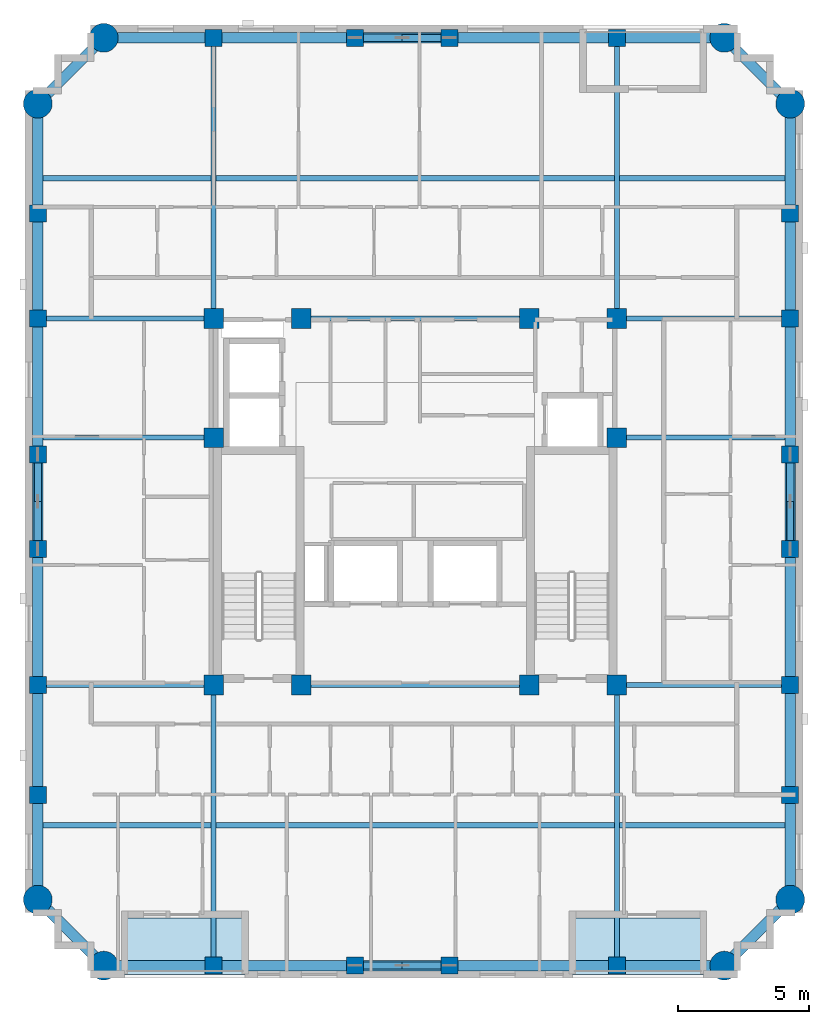
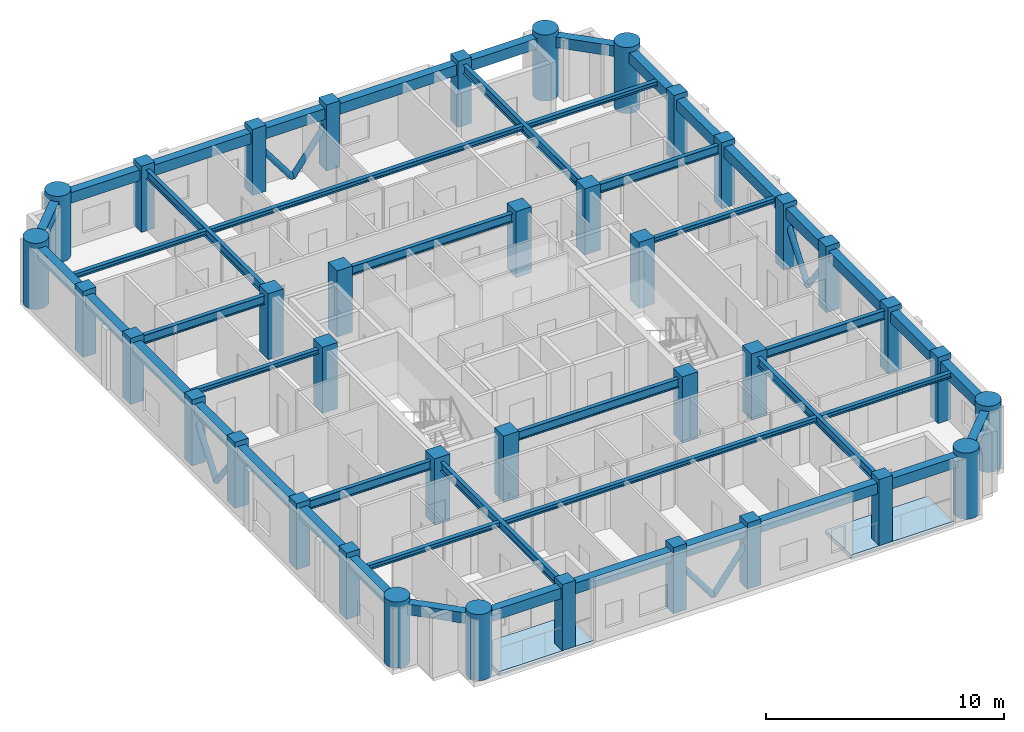
# One storey, part 1 of 11: 46 beams, 38 columns, 8 members, 2 slabs.
"""IFC4 building model written with IfcOpenShell, lengths in metres."""

from ifc_helpers import new_model, si_unit, derived_unit, direction, frame, origin, origin_2d, place, context, subcontext, project, spatial, polyline, rectangle, circle, hollow_circle, i_section, outline, extrude, material, layer, layer_set, material_profile, profile_set, type_object, element, save


model = new_model("IFC4")

# Units and contexts
model_context = context("Model", 3, precision=1e-05, world=origin(), true_north=direction((0.0, 1.0)))
body_context = subcontext(model_context, "Body", "Model", "MODEL_VIEW")
ifc_project = project(units=[si_unit("LENGTHUNIT", "METRE"), si_unit("AREAUNIT", "SQUARE_METRE"), si_unit("VOLUMEUNIT", "CUBIC_METRE"), si_unit("PLANEANGLEUNIT", "RADIAN"), si_unit("MASSUNIT", "GRAM", prefix="KILO"), derived_unit("THERMALTRANSMITTANCEUNIT", [(si_unit("MASSUNIT", "GRAM", prefix="KILO"), 1), (si_unit("TIMEUNIT", "SECOND"), -3), (si_unit("THERMODYNAMICTEMPERATUREUNIT", "KELVIN"), -1)])], contexts=[model_context])

# Site, building, storey
site_placement = place(None, origin())
site = spatial("IfcSite", under=ifc_project, at=site_placement, CompositionType="ELEMENT")
building_placement = place(site_placement, origin())
building = spatial("IfcBuilding", under=site, at=building_placement, Name="Korrvale Station Residences", CompositionType="ELEMENT")
storey_placement = place(building_placement, frame((0.0, 0.0, 230.89990234375)))
storey = spatial("IfcBuildingStorey", under=building, at=storey_placement, Name="L67", CompositionType="ELEMENT", Elevation=230.89990234375)

# Columns
ifc_material_1 = material(Name="Concrete C50/60", Category="concrete")
ifc_material_profile_1 = material_profile(ifc_material_1, rectangle(XDim=0.64990234375, YDim=0.64990234375, at=origin_2d()), Name="RC650x650")
ifc_profile_set_1 = profile_set([ifc_material_profile_1], Name="Concrete C50/60")
column_type_1 = type_object("IfcColumnType", Name="COL-C-RC650x650-C5060", PredefinedType="COLUMN", material=ifc_profile_set_1)
for number, where, z_axis, x_axis, name in (
    (1, (17.800048828125, 4.280029296875, 0.0), (0.0, 0.0, 1.0), (1.0, 0.0, 0.0), "L67 Bundled-Tube South Column 02"),
    (2, (23.199951171875, 4.280029296875, 0.0), (0.0, 0.0, 1.0), (1.0, 0.0, 0.0), "L67 Bundled-Tube South Column 03"),
    (3, (26.800048828125, 4.280029296875, 0.0), (0.0, 0.0, 1.0), (1.0, 0.0, 0.0), "L67 Bundled-Tube South Column 04"),
    (4, (33.199951171875, 4.280029296875, 0.0), (0.0, 0.0, 1.0), (1.0, 0.0, 0.0), "L67 Bundled-Tube South Column 05"),
    (5, (17.800048828125, 39.719970703125, 0.0), (0.0, 0.0, 1.0), (1.0, 0.0, 0.0), "L67 Bundled-Tube North Column 08"),
    (6, (23.199951171875, 39.719970703125, 0.0), (0.0, 0.0, 1.0), (1.0, 0.0, 0.0), "L67 Bundled-Tube North Column 09"),
    (7, (26.800048828125, 39.719970703125, 0.0), (0.0, 0.0, 1.0), (1.0, 0.0, 0.0), "L67 Bundled-Tube North Column 10"),
    (8, (33.199951171875, 39.719970703125, 0.0), (0.0, 0.0, 1.0), (1.0, 0.0, 0.0), "L67 Bundled-Tube North Column 11"),
    (9, (11.080078125, 10.800048828125, 0.0), (0.0, 0.0, 1.0), (1.0, 0.0, 0.0), "L67 Bundled-Tube West Column 14"),
    (10, (11.080078125, 15.0, 0.0), (0.0, 0.0, 1.0), (1.0, 0.0, 0.0), "L67 Bundled-Tube West Column 15"),
    (11, (11.080078125, 20.199951171875, 0.0), (0.0, 0.0, 1.0), (1.0, 0.0, 0.0), "L67 Bundled-Tube West Column 16"),
    (12, (11.080078125, 23.800048828125, 0.0), (0.0, 0.0, 1.0), (1.0, 0.0, 0.0), "L67 Bundled-Tube West Column 17"),
    (13, (11.080078125, 29.0, 0.0), (0.0, 0.0, 1.0), (1.0, 0.0, 0.0), "L67 Bundled-Tube West Column 18"),
    (14, (11.080078125, 33.0, 0.0), (0.0, 0.0, 1.0), (1.0, 0.0, 0.0), "L67 Bundled-Tube West Column 19"),
    (15, (39.820068359375, 10.800048828125, 0.0), (0.0, 0.0, 1.0), (1.0, 0.0, 0.0), "L67 Bundled-Tube East Column 22"),
    (16, (39.820068359375, 15.0, 0.0), (0.0, 0.0, 1.0), (1.0, 0.0, 0.0), "L67 Bundled-Tube East Column 23"),
    (17, (39.820068359375, 20.199951171875, 0.0), (0.0, 0.0, 1.0), (1.0, 0.0, 0.0), "L67 Bundled-Tube East Column 24"),
    (18, (39.820068359375, 23.800048828125, 0.0), (0.0, 0.0, 1.0), (1.0, 0.0, 0.0), "L67 Bundled-Tube East Column 25"),
    (19, (39.820068359375, 29.0, 0.0), (0.0, 0.0, 1.0), (1.0, 0.0, 0.0), "L67 Bundled-Tube East Column 26"),
    (20, (39.820068359375, 33.0, 0.0), (0.0, 0.0, 1.0), (1.0, 0.0, 0.0), "L67 Bundled-Tube East Column 27"),
):
    element("IfcColumn", number, at=place(storey_placement, frame(where, z_axis=z_axis, x_axis=x_axis)), inside=storey, type_object=column_type_1, Name=name, PredefinedType="COLUMN", context=body_context, shape_type="SweptSolid", body=[
        extrude(rectangle(XDim=0.64990234375, YDim=0.64990234375, at=origin_2d()), origin(), (0.0, 0.0, 1.0), 3.400146484375),
    ])
ifc_material_profile_2 = material_profile(ifc_material_1, rectangle(XDim=0.75, YDim=0.75, at=origin_2d()), Name="RC750x750")
ifc_profile_set_2 = profile_set([ifc_material_profile_2], Name="Concrete C50/60")
column_type_2 = type_object("IfcColumnType", Name="COL-C-RC750x750-C5060", PredefinedType="COLUMN", material=ifc_profile_set_2)
for number, where, z_axis, x_axis, name in (
    (21, (17.800048828125, 15.0, 0.0), (0.0, 0.0, 1.0), (1.0, 0.0, 0.0), "L67 Core Column 01"),
    (22, (21.14990234375, 15.0, 0.0), (0.0, 0.0, 1.0), (1.0, 0.0, 0.0), "L67 Core Column 02"),
    (23, (29.85009765625, 15.0, 0.0), (0.0, 0.0, 1.0), (1.0, 0.0, 0.0), "L67 Core Column 03"),
    (24, (33.199951171875, 15.0, 0.0), (0.0, 0.0, 1.0), (1.0, 0.0, 0.0), "L67 Core Column 04"),
    (25, (17.800048828125, 29.0, 0.0), (0.0, 0.0, 1.0), (1.0, 0.0, 0.0), "L67 Core Column 05"),
    (26, (21.14990234375, 29.0, 0.0), (0.0, 0.0, 1.0), (1.0, 0.0, 0.0), "L67 Core Column 06"),
    (27, (29.85009765625, 29.0, 0.0), (0.0, 0.0, 1.0), (1.0, 0.0, 0.0), "L67 Core Column 07"),
    (28, (33.199951171875, 29.0, 0.0), (0.0, 0.0, 1.0), (1.0, 0.0, 0.0), "L67 Core Column 08"),
    (29, (17.800048828125, 24.449951171875, 0.0), (0.0, 0.0, 1.0), (1.0, 0.0, 0.0), "L67 Core Column 09"),
    (30, (33.199951171875, 24.449951171875, 0.0), (0.0, 0.0, 1.0), (1.0, 0.0, 0.0), "L67 Core Column 10"),
):
    element("IfcColumn", number, at=place(storey_placement, frame(where, z_axis=z_axis, x_axis=x_axis)), inside=storey, type_object=column_type_2, Name=name, PredefinedType="COLUMN", context=body_context, shape_type="SweptSolid", body=[
        extrude(rectangle(XDim=0.75, YDim=0.75, at=origin_2d()), origin(), (0.0, 0.0, 1.0), 3.400146484375),
    ])
ifc_material_profile_3 = material_profile(ifc_material_1, circle(Radius=0.550048828125, at=origin_2d()), Name="RCC1100")
ifc_profile_set_3 = profile_set([ifc_material_profile_3], Name="Concrete C50/60")
column_type_3 = type_object("IfcColumnType", Name="COL-C-RCC1100-C5060", PredefinedType="COLUMN", material=ifc_profile_set_3)
for number, where, z_axis, x_axis, name in (
    (31, (13.60009765625, 4.280029296875, 0.0), (0.0, 0.0, 1.0), (1.0, 0.0, 0.0), "L67 Bundled-Tube South Column 01"),
    (32, (37.300048828125, 4.280029296875, 0.0), (0.0, 0.0, 1.0), (1.0, 0.0, 0.0), "L67 Bundled-Tube South Column 06"),
    (33, (13.60009765625, 39.719970703125, 0.0), (0.0, 0.0, 1.0), (1.0, 0.0, 0.0), "L67 Bundled-Tube North Column 07"),
    (34, (37.300048828125, 39.719970703125, 0.0), (0.0, 0.0, 1.0), (1.0, 0.0, 0.0), "L67 Bundled-Tube North Column 12"),
    (35, (11.080078125, 6.800048828125, 0.0), (0.0, 0.0, 1.0), (1.0, 0.0, 0.0), "L67 Bundled-Tube West Column 13"),
    (36, (11.080078125, 37.199951171875, 0.0), (0.0, 0.0, 1.0), (1.0, 0.0, 0.0), "L67 Bundled-Tube West Column 20"),
    (37, (39.820068359375, 6.800048828125, 0.0), (0.0, 0.0, 1.0), (1.0, 0.0, 0.0), "L67 Bundled-Tube East Column 21"),
    (38, (39.820068359375, 37.199951171875, 0.0), (0.0, 0.0, 1.0), (1.0, 0.0, 0.0), "L67 Bundled-Tube East Column 28"),
):
    element("IfcColumn", number, at=place(storey_placement, frame(where, z_axis=z_axis, x_axis=x_axis)), inside=storey, type_object=column_type_3, Name=name, PredefinedType="COLUMN", context=body_context, shape_type="SweptSolid", body=[
        extrude(circle(Radius=0.550048828125, at=origin_2d()), origin(), (0.0, 0.0, 1.0), 3.400146484375),
    ])

# Beams
ifc_material_2 = material(Name="Steel S355", Category="steel")
ifc_material_profile_4 = material_profile(ifc_material_2, i_section(OverallWidth=0.18994140625, OverallDepth=0.45703125, WebThickness=0.009033203125, FlangeThickness=0.014404296875, FilletRadius=0.01611328125, at=origin_2d()), Name="W460x74")
ifc_profile_set_4 = profile_set([ifc_material_profile_4], Name="Steel S355")
beam_type_1 = type_object("IfcBeamType", Name="BM-BM-W460x74-S355", PredefinedType="BEAM", material=ifc_profile_set_4)
for number, where, z_axis, x_axis, name in (
    (39, (17.800048828125, 4.280029296875, 2.91162109375), (0.0, 1.0, 0.0), (-1.0, 0.0, 0.0), "L67 Bundled-Tube Web Girder 01"),
    (40, (33.199951171875, 4.280029296875, 2.91162109375), (0.0, 1.0, 0.0), (-1.0, 0.0, 0.0), "L67 Bundled-Tube Web Girder 02"),
    (41, (17.800048828125, 29.0, 2.91162109375), (0.0, 1.0, 0.0), (-1.0, 0.0, 0.0), "L67 Bundled-Tube Web Girder 03"),
    (42, (33.199951171875, 29.0, 2.91162109375), (0.0, 1.0, 0.0), (-1.0, 0.0, 0.0), "L67 Bundled-Tube Web Girder 04"),
):
    element("IfcBeam", number, at=place(storey_placement, frame(where, z_axis=z_axis, x_axis=x_axis)), inside=storey, type_object=beam_type_1, Name=name, PredefinedType="BEAM", context=body_context, shape_type="SweptSolid", body=[
        extrude(i_section(OverallWidth=0.18994140625, OverallDepth=0.45703125, WebThickness=0.009033203125, FlangeThickness=0.014404296875, FilletRadius=0.01611328125, at=origin_2d()), origin(), (0.0, 0.0, 1.0), 10.719970703125),
    ])
beam_1_placement = place(storey_placement, frame((11.080078125, 15.0, 2.91162109375), z_axis=(1.0, 0.0, 0.0), x_axis=(0.0, 1.0, 0.0)))
element("IfcBeam", 43, at=beam_1_placement, inside=storey, type_object=beam_type_1, Name="L67 Bundled-Tube Web Girder 05", PredefinedType="BEAM", context=body_context, shape_type="SweptSolid", body=[
    extrude(i_section(OverallWidth=0.18994140625, OverallDepth=0.45703125, WebThickness=0.009033203125, FlangeThickness=0.014404296875, FilletRadius=0.01611328125, at=origin_2d()), origin(), (0.0, 0.0, 1.0), 6.719970703125),
])
beam_2_placement = place(storey_placement, frame((33.199951171875, 15.0, 2.91162109375), z_axis=(1.0, 0.0, 0.0), x_axis=(0.0, 1.0, 0.0)))
element("IfcBeam", 44, at=beam_2_placement, inside=storey, type_object=beam_type_1, Name="L67 Bundled-Tube Web Girder 06", PredefinedType="BEAM", context=body_context, shape_type="SweptSolid", body=[
    extrude(i_section(OverallWidth=0.18994140625, OverallDepth=0.45703125, WebThickness=0.009033203125, FlangeThickness=0.014404296875, FilletRadius=0.01611328125, at=origin_2d()), origin(), (0.0, 0.0, 1.0), 6.6201171875),
])
beam_3_placement = place(storey_placement, frame((11.080078125, 29.0, 2.91162109375), z_axis=(1.0, 0.0, 0.0), x_axis=(0.0, 1.0, 0.0)))
element("IfcBeam", 45, at=beam_3_placement, inside=storey, type_object=beam_type_1, Name="L67 Bundled-Tube Web Girder 07", PredefinedType="BEAM", context=body_context, shape_type="SweptSolid", body=[
    extrude(i_section(OverallWidth=0.18994140625, OverallDepth=0.45703125, WebThickness=0.009033203125, FlangeThickness=0.014404296875, FilletRadius=0.01611328125, at=origin_2d()), origin(), (0.0, 0.0, 1.0), 6.719970703125),
])
beam_4_placement = place(storey_placement, frame((33.199951171875, 29.0, 2.91162109375), z_axis=(1.0, 0.0, 0.0), x_axis=(0.0, 1.0, 0.0)))
element("IfcBeam", 46, at=beam_4_placement, inside=storey, type_object=beam_type_1, Name="L67 Bundled-Tube Web Girder 08", PredefinedType="BEAM", context=body_context, shape_type="SweptSolid", body=[
    extrude(i_section(OverallWidth=0.18994140625, OverallDepth=0.45703125, WebThickness=0.009033203125, FlangeThickness=0.014404296875, FilletRadius=0.01611328125, at=origin_2d()), origin(), (0.0, 0.0, 1.0), 6.6201171875),
])
for number, where, z_axis, x_axis, name in (
    (47, (21.14990234375, 15.0, 2.91162109375), (1.0, 0.0, 0.0), (0.0, 1.0, 0.0), "L67 Bundled-Tube Web Girder 09"),
    (48, (21.14990234375, 29.0, 2.91162109375), (1.0, 0.0, 0.0), (0.0, 1.0, 0.0), "L67 Bundled-Tube Web Girder 10"),
):
    element("IfcBeam", number, at=place(storey_placement, frame(where, z_axis=z_axis, x_axis=x_axis)), inside=storey, type_object=beam_type_1, Name=name, PredefinedType="BEAM", context=body_context, shape_type="SweptSolid", body=[
        extrude(i_section(OverallWidth=0.18994140625, OverallDepth=0.45703125, WebThickness=0.009033203125, FlangeThickness=0.014404296875, FilletRadius=0.01611328125, at=origin_2d()), origin(), (0.0, 0.0, 1.0), 8.7001953125),
    ])
ifc_material_profile_5 = material_profile(ifc_material_2, i_section(OverallWidth=0.201904296875, OverallDepth=0.2470703125, WebThickness=0.00732421875, FlangeThickness=0.010986328125, FilletRadius=0.012939453125, at=origin_2d()), Name="W250x49")
ifc_profile_set_5 = profile_set([ifc_material_profile_5], Name="Steel S355")
beam_type_2 = type_object("IfcBeamType", Name="BM-JST-W250x49-S355", PredefinedType="JOIST", material=ifc_profile_set_5)
beam_5_placement = place(storey_placement, frame((11.280029296875, 9.639892578125, 3.0166015625), z_axis=(1.0, 0.0, 0.0), x_axis=(0.0, 1.0, 0.0)))
element("IfcBeam", 49, at=beam_5_placement, inside=storey, type_object=beam_type_2, Name="L67 Floor Framing Joist 01", PredefinedType="JOIST", context=body_context, shape_type="SweptSolid", body=[
    extrude(i_section(OverallWidth=0.201904296875, OverallDepth=0.2470703125, WebThickness=0.00732421875, FlangeThickness=0.010986328125, FilletRadius=0.012939453125, at=origin_2d()), origin(), (0.0, 0.0, 1.0), 6.425048828125),
])
beam_6_placement = place(storey_placement, frame((17.89501953125, 9.639892578125, 3.0166015625), z_axis=(1.0, 0.0, 0.0), x_axis=(0.0, 1.0, 0.0)))
element("IfcBeam", 50, at=beam_6_placement, inside=storey, type_object=beam_type_2, Name="L67 Floor Framing Joist 02", PredefinedType="JOIST", context=body_context, shape_type="SweptSolid", body=[
    extrude(i_section(OverallWidth=0.201904296875, OverallDepth=0.2470703125, WebThickness=0.00732421875, FlangeThickness=0.010986328125, FilletRadius=0.012939453125, at=origin_2d()), origin(), (0.0, 0.0, 1.0), 15.2099609375),
])
beam_7_placement = place(storey_placement, frame((33.294921875, 9.639892578125, 3.0166015625), z_axis=(1.0, 0.0, 0.0), x_axis=(0.0, 1.0, 0.0)))
element("IfcBeam", 51, at=beam_7_placement, inside=storey, type_object=beam_type_2, Name="L67 Floor Framing Joist 03", PredefinedType="JOIST", context=body_context, shape_type="SweptSolid", body=[
    extrude(i_section(OverallWidth=0.201904296875, OverallDepth=0.2470703125, WebThickness=0.00732421875, FlangeThickness=0.010986328125, FilletRadius=0.012939453125, at=origin_2d()), origin(), (0.0, 0.0, 1.0), 6.3251953125),
])
beam_8_placement = place(storey_placement, frame((11.280029296875, 34.360107421875, 3.0166015625), z_axis=(1.0, 0.0, 0.0), x_axis=(0.0, 1.0, 0.0)))
element("IfcBeam", 52, at=beam_8_placement, inside=storey, type_object=beam_type_2, Name="L67 Floor Framing Joist 04", PredefinedType="JOIST", context=body_context, shape_type="SweptSolid", body=[
    extrude(i_section(OverallWidth=0.201904296875, OverallDepth=0.2470703125, WebThickness=0.00732421875, FlangeThickness=0.010986328125, FilletRadius=0.012939453125, at=origin_2d()), origin(), (0.0, 0.0, 1.0), 6.425048828125),
])
beam_9_placement = place(storey_placement, frame((17.89501953125, 34.360107421875, 3.0166015625), z_axis=(1.0, 0.0, 0.0), x_axis=(0.0, 1.0, 0.0)))
element("IfcBeam", 53, at=beam_9_placement, inside=storey, type_object=beam_type_2, Name="L67 Floor Framing Joist 05", PredefinedType="JOIST", context=body_context, shape_type="SweptSolid", body=[
    extrude(i_section(OverallWidth=0.201904296875, OverallDepth=0.2470703125, WebThickness=0.00732421875, FlangeThickness=0.010986328125, FilletRadius=0.012939453125, at=origin_2d()), origin(), (0.0, 0.0, 1.0), 15.2099609375),
])
beam_10_placement = place(storey_placement, frame((33.294921875, 34.360107421875, 3.0166015625), z_axis=(1.0, 0.0, 0.0), x_axis=(0.0, 1.0, 0.0)))
element("IfcBeam", 54, at=beam_10_placement, inside=storey, type_object=beam_type_2, Name="L67 Floor Framing Joist 06", PredefinedType="JOIST", context=body_context, shape_type="SweptSolid", body=[
    extrude(i_section(OverallWidth=0.201904296875, OverallDepth=0.2470703125, WebThickness=0.00732421875, FlangeThickness=0.010986328125, FilletRadius=0.012939453125, at=origin_2d()), origin(), (0.0, 0.0, 1.0), 6.3251953125),
])
beam_11_placement = place(storey_placement, frame((33.199951171875, 24.449951171875, 3.0166015625), z_axis=(1.0, 0.0, 0.0), x_axis=(0.0, 1.0, 0.0)))
element("IfcBeam", 55, at=beam_11_placement, inside=storey, type_object=beam_type_2, Name="L67 Floor Framing Joist 07", PredefinedType="JOIST", context=body_context, shape_type="SweptSolid", body=[
    extrude(i_section(OverallWidth=0.201904296875, OverallDepth=0.2470703125, WebThickness=0.00732421875, FlangeThickness=0.010986328125, FilletRadius=0.012939453125, at=origin_2d()), origin(), (0.0, 0.0, 1.0), 6.420166015625),
])
beam_12_placement = place(storey_placement, frame((11.280029296875, 24.449951171875, 3.0166015625), z_axis=(1.0, 0.0, 0.0), x_axis=(0.0, 1.0, 0.0)))
element("IfcBeam", 56, at=beam_12_placement, inside=storey, type_object=beam_type_2, Name="L67 Floor Framing Joist 08", PredefinedType="JOIST", context=body_context, shape_type="SweptSolid", body=[
    extrude(i_section(OverallWidth=0.201904296875, OverallDepth=0.2470703125, WebThickness=0.00732421875, FlangeThickness=0.010986328125, FilletRadius=0.012939453125, at=origin_2d()), origin(), (0.0, 0.0, 1.0), 6.52001953125),
])
ifc_material_profile_6 = material_profile(ifc_material_1, rectangle(XDim=0.39990234375, YDim=0.550048828125, at=origin_2d()), Name="RCB400x550")
ifc_profile_set_6 = profile_set([ifc_material_profile_6], Name="Concrete C50/60")
beam_type_3 = type_object("IfcBeamType", Name="BM-SPB-RCB400x550-C5060", PredefinedType="SPANDREL", material=ifc_profile_set_6)
beam_13_placement = place(storey_placement, frame((13.60009765625, 4.280029296875, 2.864990234375), z_axis=(1.0, 0.0, 0.0), x_axis=(0.0, 1.0, 0.0)))
element("IfcBeam", 57, at=beam_13_placement, inside=storey, type_object=beam_type_3, Name="L67 South Tube Spandrel 01", PredefinedType="SPANDREL", context=body_context, shape_type="SweptSolid", body=[
    extrude(rectangle(XDim=0.39990234375, YDim=0.550048828125, at=origin_2d()), origin(), (0.0, 0.0, 1.0), 4.199951171875),
])
beam_14_placement = place(storey_placement, frame((17.800048828125, 4.280029296875, 2.864990234375), z_axis=(1.0, 0.0, 0.0), x_axis=(0.0, 1.0, 0.0)))
element("IfcBeam", 58, at=beam_14_placement, inside=storey, type_object=beam_type_3, Name="L67 South Tube Spandrel 02", PredefinedType="SPANDREL", context=body_context, shape_type="SweptSolid", body=[
    extrude(rectangle(XDim=0.39990234375, YDim=0.550048828125, at=origin_2d()), origin(), (0.0, 0.0, 1.0), 5.39990234375),
])
beam_15_placement = place(storey_placement, frame((23.199951171875, 4.280029296875, 2.864990234375), z_axis=(1.0, 0.0, 0.0), x_axis=(0.0, 1.0, 0.0)))
element("IfcBeam", 59, at=beam_15_placement, inside=storey, type_object=beam_type_3, Name="L67 South Tube Spandrel 03", PredefinedType="SPANDREL", context=body_context, shape_type="SweptSolid", body=[
    extrude(rectangle(XDim=0.39990234375, YDim=0.550048828125, at=origin_2d()), origin(), (0.0, 0.0, 1.0), 3.60009765625),
])
beam_16_placement = place(storey_placement, frame((26.800048828125, 4.280029296875, 2.864990234375), z_axis=(1.0, 0.0, 0.0), x_axis=(0.0, 1.0, 0.0)))
element("IfcBeam", 60, at=beam_16_placement, inside=storey, type_object=beam_type_3, Name="L67 South Tube Spandrel 04", PredefinedType="SPANDREL", context=body_context, shape_type="SweptSolid", body=[
    extrude(rectangle(XDim=0.39990234375, YDim=0.550048828125, at=origin_2d()), origin(), (0.0, 0.0, 1.0), 6.39990234375),
])
beam_17_placement = place(storey_placement, frame((33.199951171875, 4.280029296875, 2.864990234375), z_axis=(1.0, 0.0, 0.0), x_axis=(0.0, 1.0, 0.0)))
element("IfcBeam", 61, at=beam_17_placement, inside=storey, type_object=beam_type_3, Name="L67 South Tube Spandrel 05", PredefinedType="SPANDREL", context=body_context, shape_type="SweptSolid", body=[
    extrude(rectangle(XDim=0.39990234375, YDim=0.550048828125, at=origin_2d()), origin(), (0.0, 0.0, 1.0), 4.10009765625),
])
beam_18_placement = place(storey_placement, frame((13.60009765625, 39.719970703125, 2.864990234375), z_axis=(1.0, 0.0, 0.0), x_axis=(0.0, 1.0, 0.0)))
element("IfcBeam", 62, at=beam_18_placement, inside=storey, type_object=beam_type_3, Name="L67 North Tube Spandrel 06", PredefinedType="SPANDREL", context=body_context, shape_type="SweptSolid", body=[
    extrude(rectangle(XDim=0.39990234375, YDim=0.550048828125, at=origin_2d()), origin(), (0.0, 0.0, 1.0), 4.199951171875),
])
beam_19_placement = place(storey_placement, frame((17.800048828125, 39.719970703125, 2.864990234375), z_axis=(1.0, 0.0, 0.0), x_axis=(0.0, 1.0, 0.0)))
element("IfcBeam", 63, at=beam_19_placement, inside=storey, type_object=beam_type_3, Name="L67 North Tube Spandrel 07", PredefinedType="SPANDREL", context=body_context, shape_type="SweptSolid", body=[
    extrude(rectangle(XDim=0.39990234375, YDim=0.550048828125, at=origin_2d()), origin(), (0.0, 0.0, 1.0), 5.39990234375),
])
beam_20_placement = place(storey_placement, frame((23.199951171875, 39.719970703125, 2.864990234375), z_axis=(1.0, 0.0, 0.0), x_axis=(0.0, 1.0, 0.0)))
element("IfcBeam", 64, at=beam_20_placement, inside=storey, type_object=beam_type_3, Name="L67 North Tube Spandrel 08", PredefinedType="SPANDREL", context=body_context, shape_type="SweptSolid", body=[
    extrude(rectangle(XDim=0.39990234375, YDim=0.550048828125, at=origin_2d()), origin(), (0.0, 0.0, 1.0), 3.60009765625),
])
beam_21_placement = place(storey_placement, frame((26.800048828125, 39.719970703125, 2.864990234375), z_axis=(1.0, 0.0, 0.0), x_axis=(0.0, 1.0, 0.0)))
element("IfcBeam", 65, at=beam_21_placement, inside=storey, type_object=beam_type_3, Name="L67 North Tube Spandrel 09", PredefinedType="SPANDREL", context=body_context, shape_type="SweptSolid", body=[
    extrude(rectangle(XDim=0.39990234375, YDim=0.550048828125, at=origin_2d()), origin(), (0.0, 0.0, 1.0), 6.39990234375),
])
beam_22_placement = place(storey_placement, frame((33.199951171875, 39.719970703125, 2.864990234375), z_axis=(1.0, 0.0, 0.0), x_axis=(0.0, 1.0, 0.0)))
element("IfcBeam", 66, at=beam_22_placement, inside=storey, type_object=beam_type_3, Name="L67 North Tube Spandrel 10", PredefinedType="SPANDREL", context=body_context, shape_type="SweptSolid", body=[
    extrude(rectangle(XDim=0.39990234375, YDim=0.550048828125, at=origin_2d()), origin(), (0.0, 0.0, 1.0), 4.10009765625),
])
beam_23_placement = place(storey_placement, frame((11.080078125, 6.800048828125, 2.864990234375), z_axis=(0.0, 1.0, 0.0), x_axis=(-1.0, 0.0, 0.0)))
element("IfcBeam", 67, at=beam_23_placement, inside=storey, type_object=beam_type_3, Name="L67 West Tube Spandrel 11", PredefinedType="SPANDREL", context=body_context, shape_type="SweptSolid", body=[
    extrude(rectangle(XDim=0.39990234375, YDim=0.550048828125, at=origin_2d()), origin(), (0.0, 0.0, 1.0), 4.0),
])
beam_24_placement = place(storey_placement, frame((11.080078125, 10.800048828125, 2.864990234375), z_axis=(0.0, 1.0, 0.0), x_axis=(-1.0, 0.0, 0.0)))
element("IfcBeam", 68, at=beam_24_placement, inside=storey, type_object=beam_type_3, Name="L67 West Tube Spandrel 12", PredefinedType="SPANDREL", context=body_context, shape_type="SweptSolid", body=[
    extrude(rectangle(XDim=0.39990234375, YDim=0.550048828125, at=origin_2d()), origin(), (0.0, 0.0, 1.0), 4.199951171875),
])
beam_25_placement = place(storey_placement, frame((11.080078125, 15.0, 2.864990234375), z_axis=(0.0, 1.0, 0.0), x_axis=(-1.0, 0.0, 0.0)))
element("IfcBeam", 69, at=beam_25_placement, inside=storey, type_object=beam_type_3, Name="L67 West Tube Spandrel 13", PredefinedType="SPANDREL", context=body_context, shape_type="SweptSolid", body=[
    extrude(rectangle(XDim=0.39990234375, YDim=0.550048828125, at=origin_2d()), origin(), (0.0, 0.0, 1.0), 5.199951171875),
])
beam_26_placement = place(storey_placement, frame((11.080078125, 20.199951171875, 2.864990234375), z_axis=(0.0, 1.0, 0.0), x_axis=(-1.0, 0.0, 0.0)))
element("IfcBeam", 70, at=beam_26_placement, inside=storey, type_object=beam_type_3, Name="L67 West Tube Spandrel 14", PredefinedType="SPANDREL", context=body_context, shape_type="SweptSolid", body=[
    extrude(rectangle(XDim=0.39990234375, YDim=0.550048828125, at=origin_2d()), origin(), (0.0, 0.0, 1.0), 3.60009765625),
])
beam_27_placement = place(storey_placement, frame((11.080078125, 23.800048828125, 2.864990234375), z_axis=(0.0, 1.0, 0.0), x_axis=(-1.0, 0.0, 0.0)))
element("IfcBeam", 71, at=beam_27_placement, inside=storey, type_object=beam_type_3, Name="L67 West Tube Spandrel 15", PredefinedType="SPANDREL", context=body_context, shape_type="SweptSolid", body=[
    extrude(rectangle(XDim=0.39990234375, YDim=0.550048828125, at=origin_2d()), origin(), (0.0, 0.0, 1.0), 5.199951171875),
])
beam_28_placement = place(storey_placement, frame((11.080078125, 29.0, 2.864990234375), z_axis=(0.0, 1.0, 0.0), x_axis=(-1.0, 0.0, 0.0)))
element("IfcBeam", 72, at=beam_28_placement, inside=storey, type_object=beam_type_3, Name="L67 West Tube Spandrel 16", PredefinedType="SPANDREL", context=body_context, shape_type="SweptSolid", body=[
    extrude(rectangle(XDim=0.39990234375, YDim=0.550048828125, at=origin_2d()), origin(), (0.0, 0.0, 1.0), 4.0),
])
beam_29_placement = place(storey_placement, frame((11.080078125, 33.0, 2.864990234375), z_axis=(0.0, 1.0, 0.0), x_axis=(-1.0, 0.0, 0.0)))
element("IfcBeam", 73, at=beam_29_placement, inside=storey, type_object=beam_type_3, Name="L67 West Tube Spandrel 17", PredefinedType="SPANDREL", context=body_context, shape_type="SweptSolid", body=[
    extrude(rectangle(XDim=0.39990234375, YDim=0.550048828125, at=origin_2d()), origin(), (0.0, 0.0, 1.0), 4.199951171875),
])
beam_30_placement = place(storey_placement, frame((39.820068359375, 6.800048828125, 2.864990234375), z_axis=(0.0, 1.0, 0.0), x_axis=(-1.0, 0.0, 0.0)))
element("IfcBeam", 74, at=beam_30_placement, inside=storey, type_object=beam_type_3, Name="L67 East Tube Spandrel 18", PredefinedType="SPANDREL", context=body_context, shape_type="SweptSolid", body=[
    extrude(rectangle(XDim=0.39990234375, YDim=0.550048828125, at=origin_2d()), origin(), (0.0, 0.0, 1.0), 4.0),
])
beam_31_placement = place(storey_placement, frame((39.820068359375, 10.800048828125, 2.864990234375), z_axis=(0.0, 1.0, 0.0), x_axis=(-1.0, 0.0, 0.0)))
element("IfcBeam", 75, at=beam_31_placement, inside=storey, type_object=beam_type_3, Name="L67 East Tube Spandrel 19", PredefinedType="SPANDREL", context=body_context, shape_type="SweptSolid", body=[
    extrude(rectangle(XDim=0.39990234375, YDim=0.550048828125, at=origin_2d()), origin(), (0.0, 0.0, 1.0), 4.199951171875),
])
beam_32_placement = place(storey_placement, frame((39.820068359375, 15.0, 2.864990234375), z_axis=(0.0, 1.0, 0.0), x_axis=(-1.0, 0.0, 0.0)))
element("IfcBeam", 76, at=beam_32_placement, inside=storey, type_object=beam_type_3, Name="L67 East Tube Spandrel 20", PredefinedType="SPANDREL", context=body_context, shape_type="SweptSolid", body=[
    extrude(rectangle(XDim=0.39990234375, YDim=0.550048828125, at=origin_2d()), origin(), (0.0, 0.0, 1.0), 5.199951171875),
])
beam_33_placement = place(storey_placement, frame((39.820068359375, 20.199951171875, 2.864990234375), z_axis=(0.0, 1.0, 0.0), x_axis=(-1.0, 0.0, 0.0)))
element("IfcBeam", 77, at=beam_33_placement, inside=storey, type_object=beam_type_3, Name="L67 East Tube Spandrel 21", PredefinedType="SPANDREL", context=body_context, shape_type="SweptSolid", body=[
    extrude(rectangle(XDim=0.39990234375, YDim=0.550048828125, at=origin_2d()), origin(), (0.0, 0.0, 1.0), 3.60009765625),
])
beam_34_placement = place(storey_placement, frame((39.820068359375, 23.800048828125, 2.864990234375), z_axis=(0.0, 1.0, 0.0), x_axis=(-1.0, 0.0, 0.0)))
element("IfcBeam", 78, at=beam_34_placement, inside=storey, type_object=beam_type_3, Name="L67 East Tube Spandrel 22", PredefinedType="SPANDREL", context=body_context, shape_type="SweptSolid", body=[
    extrude(rectangle(XDim=0.39990234375, YDim=0.550048828125, at=origin_2d()), origin(), (0.0, 0.0, 1.0), 5.199951171875),
])
beam_35_placement = place(storey_placement, frame((39.820068359375, 29.0, 2.864990234375), z_axis=(0.0, 1.0, 0.0), x_axis=(-1.0, 0.0, 0.0)))
element("IfcBeam", 79, at=beam_35_placement, inside=storey, type_object=beam_type_3, Name="L67 East Tube Spandrel 23", PredefinedType="SPANDREL", context=body_context, shape_type="SweptSolid", body=[
    extrude(rectangle(XDim=0.39990234375, YDim=0.550048828125, at=origin_2d()), origin(), (0.0, 0.0, 1.0), 4.0),
])
beam_36_placement = place(storey_placement, frame((39.820068359375, 33.0, 2.864990234375), z_axis=(0.0, 1.0, 0.0), x_axis=(-1.0, 0.0, 0.0)))
element("IfcBeam", 80, at=beam_36_placement, inside=storey, type_object=beam_type_3, Name="L67 East Tube Spandrel 24", PredefinedType="SPANDREL", context=body_context, shape_type="SweptSolid", body=[
    extrude(rectangle(XDim=0.39990234375, YDim=0.550048828125, at=origin_2d()), origin(), (0.0, 0.0, 1.0), 4.199951171875),
])
for number, where, z_axis, x_axis, name in (
    (81, (13.60009765625, 4.280029296875, 2.864990234375), (-0.707106781187, 0.707106781187, 0.0), (-0.707106781187, -0.707106781187, 0.0), "L67 Serrated Corner Spandrel 25"),
    (82, (37.300048828125, 4.280029296875, 2.864990234375), (0.707106781187, 0.707106781187, 0.0), (-0.707106781187, 0.707106781187, 0.0), "L67 Serrated Corner Spandrel 26"),
    (83, (37.300048828125, 39.719970703125, 2.864990234375), (0.707106781187, -0.707106781187, 0.0), (0.707106781187, 0.707106781187, 0.0), "L67 Serrated Corner Spandrel 27"),
    (84, (13.60009765625, 39.719970703125, 2.864990234375), (-0.707106781187, -0.707106781187, 0.0), (0.707106781187, -0.707106781187, 0.0), "L67 Serrated Corner Spandrel 28"),
):
    element("IfcBeam", number, at=place(storey_placement, frame(where, z_axis=z_axis, x_axis=x_axis)), inside=storey, type_object=beam_type_3, Name=name, PredefinedType="SPANDREL", context=body_context, shape_type="SweptSolid", body=[
        extrude(rectangle(XDim=0.39990234375, YDim=0.550048828125, at=origin_2d()), origin(), (0.0, 0.0, 1.0), 3.56396484375),
    ])

# Members
ifc_material_profile_7 = material_profile(ifc_material_2, hollow_circle(Radius=0.136474609375, WallThickness=0.015869140625, at=origin_2d()), Name="HSS273x16")
ifc_profile_set_7 = profile_set([ifc_material_profile_7], Name="Steel S355")
member_type = type_object("IfcMemberType", Name="MBR-BR-HSS273x16", PredefinedType="BRACE", material=ifc_profile_set_7)
for number, where, z_axis, x_axis, name in (
    (85, (25.0, 4.280029296875, 0.02001953125), (-0.601591523035, 0.0, 0.798803880444), (0.0, -1.0, 0.0), "L67 S Perimeter Tube Wind Brace 1"),
    (86, (25.0, 4.280029296875, 0.02001953125), (0.601591523035, 0.0, 0.798803880444), (0.0, 1.0, 0.0), "L67 S Perimeter Tube Wind Brace 2"),
    (87, (25.0, 39.719970703125, 0.02001953125), (-0.601591523035, 0.0, 0.798803880444), (0.0, -1.0, 0.0), "L67 N Perimeter Tube Wind Brace 1"),
    (88, (25.0, 39.719970703125, 0.02001953125), (0.601591523035, 0.0, 0.798803880444), (0.0, 1.0, 0.0), "L67 N Perimeter Tube Wind Brace 2"),
    (89, (11.080078125, 22.0, 0.02001953125), (0.0, -0.601591523035, 0.798803880444), (1.0, 0.0, 0.0), "L67 W Perimeter Tube Wind Brace 1"),
    (90, (11.080078125, 22.0, 0.02001953125), (0.0, 0.601591523035, 0.798803880444), (-1.0, 0.0, 0.0), "L67 W Perimeter Tube Wind Brace 2"),
    (91, (39.820068359375, 22.0, 0.02001953125), (0.0, -0.601591523035, 0.798803880444), (1.0, 0.0, 0.0), "L67 E Perimeter Tube Wind Brace 1"),
    (92, (39.820068359375, 22.0, 0.02001953125), (0.0, 0.601591523035, 0.798803880444), (-1.0, 0.0, 0.0), "L67 E Perimeter Tube Wind Brace 2"),
):
    element("IfcMember", number, at=place(storey_placement, frame(where, z_axis=z_axis, x_axis=x_axis)), inside=storey, type_object=member_type, Name=name, PredefinedType="BRACE", context=body_context, shape_type="SweptSolid", body=[
        extrude(hollow_circle(Radius=0.136474609375, WallThickness=0.015869140625, at=origin_2d()), origin(), (0.0, 0.0, 1.0), 2.9921875),
    ])

# Slabs
ifc_layer = layer(ifc_material_1, 0.219970703125, Name="Concrete C50/60")
ifc_layer_set = layer_set([ifc_layer], Name="Concrete C50/60")
slab_type = type_object("IfcSlabType", Name="SLB-BAL-220", PredefinedType="FLOOR", material=ifc_layer_set)
slab_1_placement = place(storey_placement, frame((0.0, 0.0, -0.219970703125)))
element("IfcSlab", 93, at=slab_1_placement, inside=storey, type_object=slab_type, Name="L67 Recessed Loggia Balcony Slab BAL-L67-S1", PredefinedType="FLOOR", context=body_context, shape_type="SweptSolid", body=[
    extrude(outline(polyline([(14.39990234375, 3.949951171875), (19.0, 3.949951171875), (19.0, 6.10009765625), (14.39990234375, 6.10009765625), (14.39990234375, 3.949951171875)])), origin(), (0.0, 0.0, 1.0), 0.219970703125),
])
slab_2_placement = place(storey_placement, frame((0.0, 0.0, -0.219970703125)))
element("IfcSlab", 94, at=slab_2_placement, inside=storey, type_object=slab_type, Name="L67 Recessed Loggia Balcony Slab BAL-L67-S2", PredefinedType="FLOOR", context=body_context, shape_type="SweptSolid", body=[
    extrude(outline(polyline([(31.5, 3.949951171875), (36.5, 3.949951171875), (36.5, 6.10009765625), (31.5, 6.10009765625), (31.5, 3.949951171875)])), origin(), (0.0, 0.0, 1.0), 0.219970703125),
])

save(model, "model.ifc")
